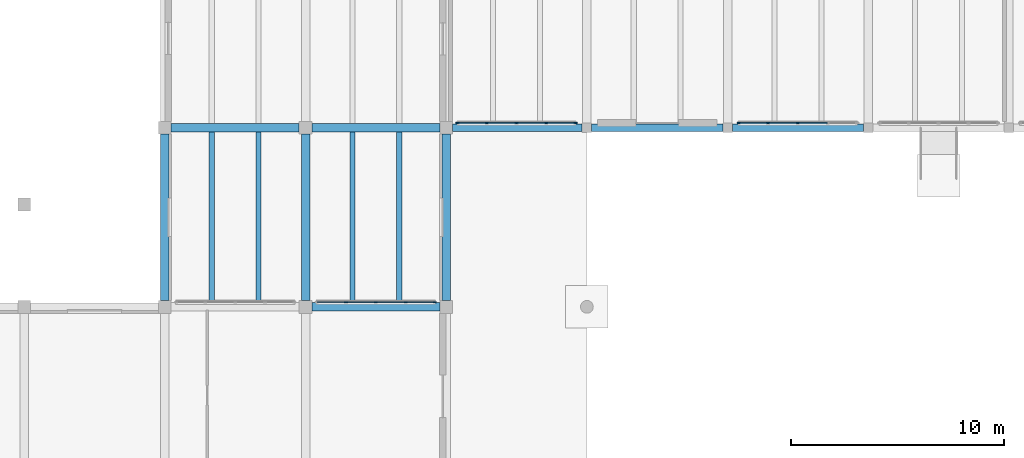
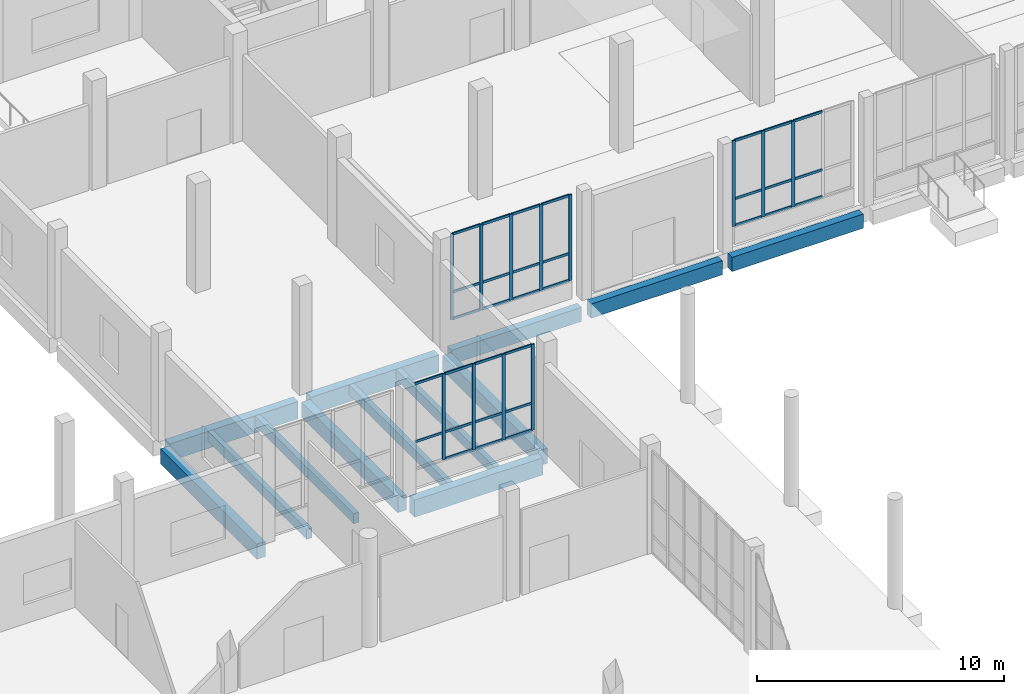
# One storey, part 9 of 64: 44 members, 13 beams, 3 elements without a shape of their own.
"""IFC4 building model written with IfcOpenShell, lengths in metres."""

from ifc_helpers import new_model, si_unit, direction, frame, origin, origin_2d, place, context, subcontext, project, spatial, rectangle, extrude, material, material_profile, profile_set, type_object, element, aggregate, save


model = new_model("IFC4")

# Units and contexts
model_context = context("Model", 3, precision=1e-05, world=origin(), true_north=direction((0.0, 1.0)))
body_context = subcontext(model_context, "Body", "Model", "MODEL_VIEW")
ifc_project = project(units=[si_unit("LENGTHUNIT", "METRE"), si_unit("AREAUNIT", "SQUARE_METRE"), si_unit("VOLUMEUNIT", "CUBIC_METRE"), si_unit("PLANEANGLEUNIT", "RADIAN"), si_unit("MASSUNIT", "GRAM", prefix="KILO")], contexts=[model_context])

# Site, building, storey
site_placement = place(None, origin())
site = spatial("IfcSite", under=ifc_project, at=site_placement, CompositionType="ELEMENT")
building_placement = place(site_placement, origin())
building = spatial("IfcBuilding", under=site, at=building_placement, Name="Qaldarim Faculty of Natural and Applied Sciences", CompositionType="ELEMENT")
storey_placement = place(building_placement, origin())
storey = spatial("IfcBuildingStorey", under=building, at=storey_placement, Name="L00", CompositionType="ELEMENT", Elevation=0.0)

# Beams
ifc_material_1 = material(Name="Concrete C40/50", Category="concrete")
ifc_material_profile_1 = material_profile(ifc_material_1, rectangle(XDim=0.239990234375, YDim=0.5, at=origin_2d()), Name="RC-J240x500")
ifc_profile_set_1 = profile_set([ifc_material_profile_1], Name="Concrete C40/50")
beam_type_1 = type_object("IfcBeamType", Name="HeavyJoist-RC240x500", PredefinedType="JOIST", material=ifc_profile_set_1)
for number, where, z_axis, x_axis, name in (
    (1, (35.199951171875, 84.199951171875, -0.610107421875), (0.0, 1.0, 0.0), (-1.0, 0.0, 0.0), "Laboratory joist B01 bay X06Y11-1"),
    (2, (37.39990234375, 84.199951171875, -0.610107421875), (0.0, 1.0, 0.0), (-1.0, 0.0, 0.0), "Laboratory joist B01 bay X06Y11-2"),
    (3, (41.800048828125, 84.199951171875, -0.610107421875), (0.0, 1.0, 0.0), (-1.0, 0.0, 0.0), "Laboratory joist B01 bay X07Y11-1"),
    (4, (44.0, 84.199951171875, -0.610107421875), (0.0, 1.0, 0.0), (-1.0, 0.0, 0.0), "Laboratory joist B01 bay X07Y11-2"),
):
    element("IfcBeam", number, at=place(storey_placement, frame(where, z_axis=z_axis, x_axis=x_axis)), inside=storey, type_object=beam_type_1, Name=name, PredefinedType="JOIST", context=body_context, shape_type="SweptSolid", body=[
        extrude(rectangle(XDim=0.239990234375, YDim=0.5, at=origin_2d()), origin(), (0.0, 0.0, 1.0), 8.0),
    ])
ifc_material_2 = material(Name="Concrete C50/60", Category="concrete")
ifc_material_profile_2 = material_profile(ifc_material_2, rectangle(XDim=0.39990234375, YDim=0.75, at=origin_2d()), Name="RC-B400x750")
ifc_profile_set_2 = profile_set([ifc_material_profile_2], Name="Concrete C50/60")
beam_type_2 = type_object("IfcBeamType", Name="LabGirder-RC400x750", PredefinedType="BEAM", material=ifc_profile_set_2)
for number, where, z_axis, x_axis, name in (
    (5, (33.0, 84.300048828125, -0.735107421875), (0.0, 1.0, 0.0), (-1.0, 0.0, 0.0), "Beam RC-B400x750 B01 X06/Y11-Y12"),
    (6, (39.60009765625, 84.300048828125, -0.735107421875), (0.0, 1.0, 0.0), (-1.0, 0.0, 0.0), "Beam RC-B400x750 B01 X07/Y11-Y12"),
    (7, (46.199951171875, 84.300048828125, -0.735107421875), (0.0, 1.0, 0.0), (-1.0, 0.0, 0.0), "Beam RC-B400x750 B01 X08/Y11-Y12"),
):
    element("IfcBeam", number, at=place(storey_placement, frame(where, z_axis=z_axis, x_axis=x_axis)), inside=storey, type_object=beam_type_2, Name=name, PredefinedType="BEAM", context=body_context, shape_type="SweptSolid", body=[
        extrude(rectangle(XDim=0.39990234375, YDim=0.75, at=origin_2d()), origin(), (0.0, 0.0, 1.0), 7.800048828125),
    ])

# Curtain wall, members
ifc_material_3 = material(Name="Anodised aluminium AW-6063", Category="aluminium")
curtain_wall_type = type_object("IfcCurtainWallType", Name="CurtainWallSystem-M1400", PredefinedType="USERDEFINED", material=ifc_material_3)
curtain_wall_1_placement = place(storey_placement, origin())
curtain_wall_1 = element("IfcCurtainWall", 8, at=curtain_wall_1_placement, inside=storey, type_object=curtain_wall_type, Name="Curtain wall CW-V4RIB-L00-X07", ObjectType="STICK CURTAIN WALL", PredefinedType="USERDEFINED")
ifc_material_profile_3 = material_profile(ifc_material_3, rectangle(XDim=0.06005859375, YDim=0.14990234375, at=origin_2d()), Name="ALU-M60x150")
ifc_profile_set_3 = profile_set([ifc_material_profile_3], Name="Anodised aluminium AW-6063")
member_type_1 = type_object("IfcMemberType", Name="Mullion-ALU60x150", PredefinedType="MULLION", material=ifc_profile_set_3)
member_1_placement = place(storey_placement, frame((41.5, 84.219970703125, 0.85009765625), z_axis=(0.0, 0.0, 1.0), x_axis=(0.0, 1.0, 0.0)))
member_1 = element("IfcMember", 9, at=member_1_placement, type_object=member_type_1, Name="Mullion 2 of CW-V4RIB-L00-X07", PredefinedType="MULLION", context=body_context, shape_type="SweptSolid", body=[
    extrude(rectangle(XDim=0.06005859375, YDim=0.14990234375, at=origin_2d()), origin(), (0.0, 0.0, 1.0), 4.25),
])
member_2_placement = place(storey_placement, frame((42.89990234375, 84.219970703125, 0.85009765625), z_axis=(0.0, 0.0, 1.0), x_axis=(0.0, 1.0, 0.0)))
member_2 = element("IfcMember", 10, at=member_2_placement, type_object=member_type_1, Name="Mullion 3 of CW-V4RIB-L00-X07", PredefinedType="MULLION", context=body_context, shape_type="SweptSolid", body=[
    extrude(rectangle(XDim=0.06005859375, YDim=0.14990234375, at=origin_2d()), origin(), (0.0, 0.0, 1.0), 4.25),
])
member_3_placement = place(storey_placement, frame((44.300048828125, 84.219970703125, 0.85009765625), z_axis=(0.0, 0.0, 1.0), x_axis=(0.0, 1.0, 0.0)))
member_3 = element("IfcMember", 11, at=member_3_placement, type_object=member_type_1, Name="Mullion 4 of CW-V4RIB-L00-X07", PredefinedType="MULLION", context=body_context, shape_type="SweptSolid", body=[
    extrude(rectangle(XDim=0.06005859375, YDim=0.14990234375, at=origin_2d()), origin(), (0.0, 0.0, 1.0), 4.25),
])
member_4_placement = place(storey_placement, frame((45.669921875, 84.219970703125, 0.85009765625), z_axis=(0.0, 0.0, 1.0), x_axis=(0.0, 1.0, 0.0)))
member_4 = element("IfcMember", 12, at=member_4_placement, type_object=member_type_1, Name="Mullion 5 of CW-V4RIB-L00-X07", PredefinedType="MULLION", context=body_context, shape_type="SweptSolid", body=[
    extrude(rectangle(XDim=0.06005859375, YDim=0.14990234375, at=origin_2d()), origin(), (0.0, 0.0, 1.0), 4.25),
])

curtain_wall_2_placement = place(storey_placement, origin())
curtain_wall_2 = element("IfcCurtainWall", 13, at=curtain_wall_2_placement, inside=storey, type_object=curtain_wall_type, Name="Curtain wall CW-V4RIB-L00-X08", ObjectType="STICK CURTAIN WALL", PredefinedType="USERDEFINED")
member_5_placement = place(storey_placement, frame((46.72998046875, 92.6201171875, 0.85009765625), z_axis=(0.0, 0.0, 1.0), x_axis=(0.0, 1.0, 0.0)))
member_5 = element("IfcMember", 14, at=member_5_placement, type_object=member_type_1, Name="Mullion 1 of CW-V4RIB-L00-X08", PredefinedType="MULLION", context=body_context, shape_type="SweptSolid", body=[
    extrude(rectangle(XDim=0.06005859375, YDim=0.14990234375, at=origin_2d()), origin(), (0.0, 0.0, 1.0), 4.25),
])
member_6_placement = place(storey_placement, frame((48.10009765625, 92.6201171875, 0.85009765625), z_axis=(0.0, 0.0, 1.0), x_axis=(0.0, 1.0, 0.0)))
member_6 = element("IfcMember", 15, at=member_6_placement, type_object=member_type_1, Name="Mullion 2 of CW-V4RIB-L00-X08", PredefinedType="MULLION", context=body_context, shape_type="SweptSolid", body=[
    extrude(rectangle(XDim=0.06005859375, YDim=0.14990234375, at=origin_2d()), origin(), (0.0, 0.0, 1.0), 4.25),
])
member_7_placement = place(storey_placement, frame((49.5, 92.6201171875, 0.85009765625), z_axis=(0.0, 0.0, 1.0), x_axis=(0.0, 1.0, 0.0)))
member_7 = element("IfcMember", 16, at=member_7_placement, type_object=member_type_1, Name="Mullion 3 of CW-V4RIB-L00-X08", PredefinedType="MULLION", context=body_context, shape_type="SweptSolid", body=[
    extrude(rectangle(XDim=0.06005859375, YDim=0.14990234375, at=origin_2d()), origin(), (0.0, 0.0, 1.0), 4.25),
])
member_8_placement = place(storey_placement, frame((50.89990234375, 92.6201171875, 0.85009765625), z_axis=(0.0, 0.0, 1.0), x_axis=(0.0, 1.0, 0.0)))
member_8 = element("IfcMember", 17, at=member_8_placement, type_object=member_type_1, Name="Mullion 4 of CW-V4RIB-L00-X08", PredefinedType="MULLION", context=body_context, shape_type="SweptSolid", body=[
    extrude(rectangle(XDim=0.06005859375, YDim=0.14990234375, at=origin_2d()), origin(), (0.0, 0.0, 1.0), 4.25),
])
member_9_placement = place(storey_placement, frame((52.27001953125, 92.6201171875, 0.85009765625), z_axis=(0.0, 0.0, 1.0), x_axis=(0.0, 1.0, 0.0)))
member_9 = element("IfcMember", 18, at=member_9_placement, type_object=member_type_1, Name="Mullion 5 of CW-V4RIB-L00-X08", PredefinedType="MULLION", context=body_context, shape_type="SweptSolid", body=[
    extrude(rectangle(XDim=0.06005859375, YDim=0.14990234375, at=origin_2d()), origin(), (0.0, 0.0, 1.0), 4.25),
])

curtain_wall_3_placement = place(storey_placement, origin())
curtain_wall_3 = element("IfcCurtainWall", 19, at=curtain_wall_3_placement, inside=storey, type_object=curtain_wall_type, Name="Curtain wall CW-V4RIB-L00-X10", ObjectType="STICK CURTAIN WALL", PredefinedType="USERDEFINED")
member_10_placement = place(storey_placement, frame((59.929931640625, 92.6201171875, 0.85009765625), z_axis=(0.0, 0.0, 1.0), x_axis=(0.0, 1.0, 0.0)))
member_10 = element("IfcMember", 20, at=member_10_placement, type_object=member_type_1, Name="Mullion 1 of CW-V4RIB-L00-X10", PredefinedType="MULLION", context=body_context, shape_type="SweptSolid", body=[
    extrude(rectangle(XDim=0.06005859375, YDim=0.14990234375, at=origin_2d()), origin(), (0.0, 0.0, 1.0), 4.25),
])
member_11_placement = place(storey_placement, frame((61.300048828125, 92.6201171875, 0.85009765625), z_axis=(0.0, 0.0, 1.0), x_axis=(0.0, 1.0, 0.0)))
member_11 = element("IfcMember", 21, at=member_11_placement, type_object=member_type_1, Name="Mullion 2 of CW-V4RIB-L00-X10", PredefinedType="MULLION", context=body_context, shape_type="SweptSolid", body=[
    extrude(rectangle(XDim=0.06005859375, YDim=0.14990234375, at=origin_2d()), origin(), (0.0, 0.0, 1.0), 4.25),
])
member_12_placement = place(storey_placement, frame((62.699951171875, 92.6201171875, 0.85009765625), z_axis=(0.0, 0.0, 1.0), x_axis=(0.0, 1.0, 0.0)))
member_12 = element("IfcMember", 22, at=member_12_placement, type_object=member_type_1, Name="Mullion 3 of CW-V4RIB-L00-X10", PredefinedType="MULLION", context=body_context, shape_type="SweptSolid", body=[
    extrude(rectangle(XDim=0.06005859375, YDim=0.14990234375, at=origin_2d()), origin(), (0.0, 0.0, 1.0), 4.25),
])

# Beams
ifc_material_profile_4 = material_profile(ifc_material_2, rectangle(XDim=0.39990234375, YDim=0.85009765625, at=origin_2d()), Name="RC-B400x850")
ifc_profile_set_4 = profile_set([ifc_material_profile_4], Name="Concrete C50/60")
beam_type_3 = type_object("IfcBeamType", Name="PodiumGirder-RC400x850", PredefinedType="BEAM", material=ifc_profile_set_4)
for number, where, z_axis, x_axis, name in (
    (23, (39.89990234375, 84.0, -0.784912109375), (1.0, 0.0, 0.0), (0.0, 1.0, 0.0), "Beam RC-B400x850 B01 X07-X08/Y11"),
    (24, (33.300048828125, 92.39990234375, -0.784912109375), (1.0, 0.0, 0.0), (0.0, 1.0, 0.0), "Beam RC-B400x850 B01 X06-X07/Y12"),
    (25, (39.89990234375, 92.39990234375, -0.784912109375), (1.0, 0.0, 0.0), (0.0, 1.0, 0.0), "Beam RC-B400x850 B01 X07-X08/Y12"),
):
    element("IfcBeam", number, at=place(storey_placement, frame(where, z_axis=z_axis, x_axis=x_axis)), inside=storey, type_object=beam_type_3, Name=name, PredefinedType="BEAM", context=body_context, shape_type="SweptSolid", body=[
        extrude(rectangle(XDim=0.39990234375, YDim=0.85009765625, at=origin_2d()), origin(), (0.0, 0.0, 1.0), 6.0),
    ])
ifc_material_profile_5 = material_profile(ifc_material_1, rectangle(XDim=0.35009765625, YDim=0.699951171875, at=origin_2d()), Name="RC-B350x700")
ifc_profile_set_5 = profile_set([ifc_material_profile_5], Name="Concrete C40/50")
beam_type_4 = type_object("IfcBeamType", Name="PrimaryGirder-RC350x700", PredefinedType="BEAM", material=ifc_profile_set_5)
beam_1_placement = place(storey_placement, frame((46.5, 92.39990234375, -0.7099609375), z_axis=(1.0, 0.0, 0.0), x_axis=(0.0, 1.0, 0.0)))
element("IfcBeam", 26, at=beam_1_placement, inside=storey, type_object=beam_type_4, Name="Beam RC-B350x700 B01 X08-X09/Y12", PredefinedType="BEAM", context=body_context, shape_type="SweptSolid", body=[
    extrude(rectangle(XDim=0.35009765625, YDim=0.699951171875, at=origin_2d()), origin(), (0.0, 0.0, 1.0), 6.074951171875),
])
beam_2_placement = place(storey_placement, frame((53.02490234375, 92.39990234375, -0.7099609375), z_axis=(1.0, 0.0, 0.0), x_axis=(0.0, 1.0, 0.0)))
element("IfcBeam", 27, at=beam_2_placement, inside=storey, type_object=beam_type_4, Name="Beam RC-B350x700 B01 X09-X10/Y12", PredefinedType="BEAM", context=body_context, shape_type="SweptSolid", body=[
    extrude(rectangle(XDim=0.35009765625, YDim=0.699951171875, at=origin_2d()), origin(), (0.0, 0.0, 1.0), 6.150146484375),
])
beam_3_placement = place(storey_placement, frame((59.625, 92.39990234375, -0.7099609375), z_axis=(1.0, 0.0, 0.0), x_axis=(0.0, 1.0, 0.0)))
element("IfcBeam", 28, at=beam_3_placement, inside=storey, type_object=beam_type_4, Name="Beam RC-B350x700 B01 X10-X11/Y12", PredefinedType="BEAM", context=body_context, shape_type="SweptSolid", body=[
    extrude(rectangle(XDim=0.35009765625, YDim=0.699951171875, at=origin_2d()), origin(), (0.0, 0.0, 1.0), 6.14990234375),
])

# Member
ifc_material_profile_6 = material_profile(ifc_material_3, rectangle(XDim=0.06005859375, YDim=0.1201171875, at=origin_2d()), Name="ALU-T60x120")
ifc_profile_set_6 = profile_set([ifc_material_profile_6], Name="Anodised aluminium AW-6063")
member_type_2 = type_object("IfcMemberType", Name="Transom-ALU60x120", PredefinedType="USERDEFINED", material=ifc_profile_set_6)
member_13_placement = place(storey_placement, frame((40.159912109375, 84.219970703125, 2.199951171875), z_axis=(1.0, 0.0, 0.0), x_axis=(0.0, 1.0, 0.0)))
member_13 = element("IfcMember", 29, at=member_13_placement, type_object=member_type_2, Name="Transom 1-2 of CW-V4RIB-L00-X07", ObjectType="TRANSOM", PredefinedType="USERDEFINED", context=body_context, shape_type="SweptSolid", body=[
    extrude(rectangle(XDim=0.06005859375, YDim=0.1201171875, at=origin_2d()), origin(), (0.0, 0.0, 1.0), 1.31005859375),
])

member_14_placement = place(storey_placement, frame((40.159912109375, 84.219970703125, 5.070068359375), z_axis=(1.0, 0.0, 0.0), x_axis=(0.0, 1.0, 0.0)))
member_14 = element("IfcMember", 30, at=member_14_placement, type_object=member_type_2, Name="Transom 1-3 of CW-V4RIB-L00-X07", ObjectType="TRANSOM", PredefinedType="USERDEFINED", context=body_context, shape_type="SweptSolid", body=[
    extrude(rectangle(XDim=0.06005859375, YDim=0.1201171875, at=origin_2d()), origin(), (0.0, 0.0, 1.0), 1.31005859375),
])

member_15_placement = place(storey_placement, frame((41.530029296875, 84.219970703125, 0.8798828125), z_axis=(1.0, 0.0, 0.0), x_axis=(0.0, 1.0, 0.0)))
member_15 = element("IfcMember", 31, at=member_15_placement, type_object=member_type_2, Name="Transom 2-1 of CW-V4RIB-L00-X07", ObjectType="TRANSOM", PredefinedType="USERDEFINED", context=body_context, shape_type="SweptSolid", body=[
    extrude(rectangle(XDim=0.06005859375, YDim=0.1201171875, at=origin_2d()), origin(), (0.0, 0.0, 1.0), 1.340087890625),
])

member_16_placement = place(storey_placement, frame((41.530029296875, 84.219970703125, 2.199951171875), z_axis=(1.0, 0.0, 0.0), x_axis=(0.0, 1.0, 0.0)))
member_16 = element("IfcMember", 32, at=member_16_placement, type_object=member_type_2, Name="Transom 2-2 of CW-V4RIB-L00-X07", ObjectType="TRANSOM", PredefinedType="USERDEFINED", context=body_context, shape_type="SweptSolid", body=[
    extrude(rectangle(XDim=0.06005859375, YDim=0.1201171875, at=origin_2d()), origin(), (0.0, 0.0, 1.0), 1.340087890625),
])

member_17_placement = place(storey_placement, frame((41.530029296875, 84.219970703125, 5.070068359375), z_axis=(1.0, 0.0, 0.0), x_axis=(0.0, 1.0, 0.0)))
member_17 = element("IfcMember", 33, at=member_17_placement, type_object=member_type_2, Name="Transom 2-3 of CW-V4RIB-L00-X07", ObjectType="TRANSOM", PredefinedType="USERDEFINED", context=body_context, shape_type="SweptSolid", body=[
    extrude(rectangle(XDim=0.06005859375, YDim=0.1201171875, at=origin_2d()), origin(), (0.0, 0.0, 1.0), 1.340087890625),
])

member_18_placement = place(storey_placement, frame((42.929931640625, 84.219970703125, 0.8798828125), z_axis=(1.0, 0.0, 0.0), x_axis=(0.0, 1.0, 0.0)))
member_18 = element("IfcMember", 34, at=member_18_placement, type_object=member_type_2, Name="Transom 3-1 of CW-V4RIB-L00-X07", ObjectType="TRANSOM", PredefinedType="USERDEFINED", context=body_context, shape_type="SweptSolid", body=[
    extrude(rectangle(XDim=0.06005859375, YDim=0.1201171875, at=origin_2d()), origin(), (0.0, 0.0, 1.0), 1.340087890625),
])

member_19_placement = place(storey_placement, frame((42.929931640625, 84.219970703125, 2.199951171875), z_axis=(1.0, 0.0, 0.0), x_axis=(0.0, 1.0, 0.0)))
member_19 = element("IfcMember", 35, at=member_19_placement, type_object=member_type_2, Name="Transom 3-2 of CW-V4RIB-L00-X07", ObjectType="TRANSOM", PredefinedType="USERDEFINED", context=body_context, shape_type="SweptSolid", body=[
    extrude(rectangle(XDim=0.06005859375, YDim=0.1201171875, at=origin_2d()), origin(), (0.0, 0.0, 1.0), 1.340087890625),
])

member_20_placement = place(storey_placement, frame((42.929931640625, 84.219970703125, 5.070068359375), z_axis=(1.0, 0.0, 0.0), x_axis=(0.0, 1.0, 0.0)))
member_20 = element("IfcMember", 36, at=member_20_placement, type_object=member_type_2, Name="Transom 3-3 of CW-V4RIB-L00-X07", ObjectType="TRANSOM", PredefinedType="USERDEFINED", context=body_context, shape_type="SweptSolid", body=[
    extrude(rectangle(XDim=0.06005859375, YDim=0.1201171875, at=origin_2d()), origin(), (0.0, 0.0, 1.0), 1.340087890625),
])

member_21_placement = place(storey_placement, frame((44.330078125, 84.219970703125, 0.8798828125), z_axis=(1.0, 0.0, 0.0), x_axis=(0.0, 1.0, 0.0)))
member_21 = element("IfcMember", 37, at=member_21_placement, type_object=member_type_2, Name="Transom 4-1 of CW-V4RIB-L00-X07", ObjectType="TRANSOM", PredefinedType="USERDEFINED", context=body_context, shape_type="SweptSolid", body=[
    extrude(rectangle(XDim=0.06005859375, YDim=0.1201171875, at=origin_2d()), origin(), (0.0, 0.0, 1.0), 1.309814453125),
])

member_22_placement = place(storey_placement, frame((44.330078125, 84.219970703125, 2.199951171875), z_axis=(1.0, 0.0, 0.0), x_axis=(0.0, 1.0, 0.0)))
member_22 = element("IfcMember", 38, at=member_22_placement, type_object=member_type_2, Name="Transom 4-2 of CW-V4RIB-L00-X07", ObjectType="TRANSOM", PredefinedType="USERDEFINED", context=body_context, shape_type="SweptSolid", body=[
    extrude(rectangle(XDim=0.06005859375, YDim=0.1201171875, at=origin_2d()), origin(), (0.0, 0.0, 1.0), 1.309814453125),
])

member_23_placement = place(storey_placement, frame((44.330078125, 84.219970703125, 5.070068359375), z_axis=(1.0, 0.0, 0.0), x_axis=(0.0, 1.0, 0.0)))
member_23 = element("IfcMember", 39, at=member_23_placement, type_object=member_type_2, Name="Transom 4-3 of CW-V4RIB-L00-X07", ObjectType="TRANSOM", PredefinedType="USERDEFINED", context=body_context, shape_type="SweptSolid", body=[
    extrude(rectangle(XDim=0.06005859375, YDim=0.1201171875, at=origin_2d()), origin(), (0.0, 0.0, 1.0), 1.309814453125),
])

aggregate(curtain_wall_1, [member_1, member_2, member_3, member_4, member_13, member_14, member_15, member_16, member_17, member_18, member_19, member_20, member_21, member_22, member_23])

member_24_placement = place(storey_placement, frame((46.760009765625, 92.6201171875, 0.8798828125), z_axis=(1.0, 0.0, 0.0), x_axis=(0.0, 1.0, 0.0)))
member_24 = element("IfcMember", 40, at=member_24_placement, type_object=member_type_2, Name="Transom 1-1 of CW-V4RIB-L00-X08", ObjectType="TRANSOM", PredefinedType="USERDEFINED", context=body_context, shape_type="SweptSolid", body=[
    extrude(rectangle(XDim=0.06005859375, YDim=0.1201171875, at=origin_2d()), origin(), (0.0, 0.0, 1.0), 1.31005859375),
])

member_25_placement = place(storey_placement, frame((46.760009765625, 92.6201171875, 2.199951171875), z_axis=(1.0, 0.0, 0.0), x_axis=(0.0, 1.0, 0.0)))
member_25 = element("IfcMember", 41, at=member_25_placement, type_object=member_type_2, Name="Transom 1-2 of CW-V4RIB-L00-X08", ObjectType="TRANSOM", PredefinedType="USERDEFINED", context=body_context, shape_type="SweptSolid", body=[
    extrude(rectangle(XDim=0.06005859375, YDim=0.1201171875, at=origin_2d()), origin(), (0.0, 0.0, 1.0), 1.31005859375),
])

member_26_placement = place(storey_placement, frame((46.760009765625, 92.6201171875, 5.070068359375), z_axis=(1.0, 0.0, 0.0), x_axis=(0.0, 1.0, 0.0)))
member_26 = element("IfcMember", 42, at=member_26_placement, type_object=member_type_2, Name="Transom 1-3 of CW-V4RIB-L00-X08", ObjectType="TRANSOM", PredefinedType="USERDEFINED", context=body_context, shape_type="SweptSolid", body=[
    extrude(rectangle(XDim=0.06005859375, YDim=0.1201171875, at=origin_2d()), origin(), (0.0, 0.0, 1.0), 1.31005859375),
])

member_27_placement = place(storey_placement, frame((48.1298828125, 92.6201171875, 0.8798828125), z_axis=(1.0, 0.0, 0.0), x_axis=(0.0, 1.0, 0.0)))
member_27 = element("IfcMember", 43, at=member_27_placement, type_object=member_type_2, Name="Transom 2-1 of CW-V4RIB-L00-X08", ObjectType="TRANSOM", PredefinedType="USERDEFINED", context=body_context, shape_type="SweptSolid", body=[
    extrude(rectangle(XDim=0.06005859375, YDim=0.1201171875, at=origin_2d()), origin(), (0.0, 0.0, 1.0), 1.340087890625),
])

member_28_placement = place(storey_placement, frame((48.1298828125, 92.6201171875, 2.199951171875), z_axis=(1.0, 0.0, 0.0), x_axis=(0.0, 1.0, 0.0)))
member_28 = element("IfcMember", 44, at=member_28_placement, type_object=member_type_2, Name="Transom 2-2 of CW-V4RIB-L00-X08", ObjectType="TRANSOM", PredefinedType="USERDEFINED", context=body_context, shape_type="SweptSolid", body=[
    extrude(rectangle(XDim=0.06005859375, YDim=0.1201171875, at=origin_2d()), origin(), (0.0, 0.0, 1.0), 1.340087890625),
])

member_29_placement = place(storey_placement, frame((48.1298828125, 92.6201171875, 5.070068359375), z_axis=(1.0, 0.0, 0.0), x_axis=(0.0, 1.0, 0.0)))
member_29 = element("IfcMember", 45, at=member_29_placement, type_object=member_type_2, Name="Transom 2-3 of CW-V4RIB-L00-X08", ObjectType="TRANSOM", PredefinedType="USERDEFINED", context=body_context, shape_type="SweptSolid", body=[
    extrude(rectangle(XDim=0.06005859375, YDim=0.1201171875, at=origin_2d()), origin(), (0.0, 0.0, 1.0), 1.340087890625),
])

member_30_placement = place(storey_placement, frame((49.530029296875, 92.6201171875, 0.8798828125), z_axis=(1.0, 0.0, 0.0), x_axis=(0.0, 1.0, 0.0)))
member_30 = element("IfcMember", 46, at=member_30_placement, type_object=member_type_2, Name="Transom 3-1 of CW-V4RIB-L00-X08", ObjectType="TRANSOM", PredefinedType="USERDEFINED", context=body_context, shape_type="SweptSolid", body=[
    extrude(rectangle(XDim=0.06005859375, YDim=0.1201171875, at=origin_2d()), origin(), (0.0, 0.0, 1.0), 1.340087890625),
])

member_31_placement = place(storey_placement, frame((49.530029296875, 92.6201171875, 2.199951171875), z_axis=(1.0, 0.0, 0.0), x_axis=(0.0, 1.0, 0.0)))
member_31 = element("IfcMember", 47, at=member_31_placement, type_object=member_type_2, Name="Transom 3-2 of CW-V4RIB-L00-X08", ObjectType="TRANSOM", PredefinedType="USERDEFINED", context=body_context, shape_type="SweptSolid", body=[
    extrude(rectangle(XDim=0.06005859375, YDim=0.1201171875, at=origin_2d()), origin(), (0.0, 0.0, 1.0), 1.340087890625),
])

member_32_placement = place(storey_placement, frame((49.530029296875, 92.6201171875, 5.070068359375), z_axis=(1.0, 0.0, 0.0), x_axis=(0.0, 1.0, 0.0)))
member_32 = element("IfcMember", 48, at=member_32_placement, type_object=member_type_2, Name="Transom 3-3 of CW-V4RIB-L00-X08", ObjectType="TRANSOM", PredefinedType="USERDEFINED", context=body_context, shape_type="SweptSolid", body=[
    extrude(rectangle(XDim=0.06005859375, YDim=0.1201171875, at=origin_2d()), origin(), (0.0, 0.0, 1.0), 1.340087890625),
])

member_33_placement = place(storey_placement, frame((50.929931640625, 92.6201171875, 0.8798828125), z_axis=(1.0, 0.0, 0.0), x_axis=(0.0, 1.0, 0.0)))
member_33 = element("IfcMember", 49, at=member_33_placement, type_object=member_type_2, Name="Transom 4-1 of CW-V4RIB-L00-X08", ObjectType="TRANSOM", PredefinedType="USERDEFINED", context=body_context, shape_type="SweptSolid", body=[
    extrude(rectangle(XDim=0.06005859375, YDim=0.1201171875, at=origin_2d()), origin(), (0.0, 0.0, 1.0), 1.31005859375),
])

member_34_placement = place(storey_placement, frame((50.929931640625, 92.6201171875, 2.199951171875), z_axis=(1.0, 0.0, 0.0), x_axis=(0.0, 1.0, 0.0)))
member_34 = element("IfcMember", 50, at=member_34_placement, type_object=member_type_2, Name="Transom 4-2 of CW-V4RIB-L00-X08", ObjectType="TRANSOM", PredefinedType="USERDEFINED", context=body_context, shape_type="SweptSolid", body=[
    extrude(rectangle(XDim=0.06005859375, YDim=0.1201171875, at=origin_2d()), origin(), (0.0, 0.0, 1.0), 1.31005859375),
])

member_35_placement = place(storey_placement, frame((50.929931640625, 92.6201171875, 5.070068359375), z_axis=(1.0, 0.0, 0.0), x_axis=(0.0, 1.0, 0.0)))
member_35 = element("IfcMember", 51, at=member_35_placement, type_object=member_type_2, Name="Transom 4-3 of CW-V4RIB-L00-X08", ObjectType="TRANSOM", PredefinedType="USERDEFINED", context=body_context, shape_type="SweptSolid", body=[
    extrude(rectangle(XDim=0.06005859375, YDim=0.1201171875, at=origin_2d()), origin(), (0.0, 0.0, 1.0), 1.31005859375),
])

aggregate(curtain_wall_2, [member_5, member_6, member_7, member_8, member_9, member_24, member_25, member_26, member_27, member_28, member_29, member_30, member_31, member_32, member_33, member_34, member_35])

member_36_placement = place(storey_placement, frame((59.9599609375, 92.6201171875, 0.8798828125), z_axis=(1.0, 0.0, 0.0), x_axis=(0.0, 1.0, 0.0)))
member_36 = element("IfcMember", 52, at=member_36_placement, type_object=member_type_2, Name="Transom 1-1 of CW-V4RIB-L00-X10", ObjectType="TRANSOM", PredefinedType="USERDEFINED", context=body_context, shape_type="SweptSolid", body=[
    extrude(rectangle(XDim=0.06005859375, YDim=0.1201171875, at=origin_2d()), origin(), (0.0, 0.0, 1.0), 1.31005859375),
])

member_37_placement = place(storey_placement, frame((59.9599609375, 92.6201171875, 2.199951171875), z_axis=(1.0, 0.0, 0.0), x_axis=(0.0, 1.0, 0.0)))
member_37 = element("IfcMember", 53, at=member_37_placement, type_object=member_type_2, Name="Transom 1-2 of CW-V4RIB-L00-X10", ObjectType="TRANSOM", PredefinedType="USERDEFINED", context=body_context, shape_type="SweptSolid", body=[
    extrude(rectangle(XDim=0.06005859375, YDim=0.1201171875, at=origin_2d()), origin(), (0.0, 0.0, 1.0), 1.31005859375),
])

member_38_placement = place(storey_placement, frame((59.9599609375, 92.6201171875, 5.070068359375), z_axis=(1.0, 0.0, 0.0), x_axis=(0.0, 1.0, 0.0)))
member_38 = element("IfcMember", 54, at=member_38_placement, type_object=member_type_2, Name="Transom 1-3 of CW-V4RIB-L00-X10", ObjectType="TRANSOM", PredefinedType="USERDEFINED", context=body_context, shape_type="SweptSolid", body=[
    extrude(rectangle(XDim=0.06005859375, YDim=0.1201171875, at=origin_2d()), origin(), (0.0, 0.0, 1.0), 1.31005859375),
])

member_39_placement = place(storey_placement, frame((61.330078125, 92.6201171875, 0.8798828125), z_axis=(1.0, 0.0, 0.0), x_axis=(0.0, 1.0, 0.0)))
member_39 = element("IfcMember", 55, at=member_39_placement, type_object=member_type_2, Name="Transom 2-1 of CW-V4RIB-L00-X10", ObjectType="TRANSOM", PredefinedType="USERDEFINED", context=body_context, shape_type="SweptSolid", body=[
    extrude(rectangle(XDim=0.06005859375, YDim=0.1201171875, at=origin_2d()), origin(), (0.0, 0.0, 1.0), 1.33984375),
])

member_40_placement = place(storey_placement, frame((61.330078125, 92.6201171875, 2.199951171875), z_axis=(1.0, 0.0, 0.0), x_axis=(0.0, 1.0, 0.0)))
member_40 = element("IfcMember", 56, at=member_40_placement, type_object=member_type_2, Name="Transom 2-2 of CW-V4RIB-L00-X10", ObjectType="TRANSOM", PredefinedType="USERDEFINED", context=body_context, shape_type="SweptSolid", body=[
    extrude(rectangle(XDim=0.06005859375, YDim=0.1201171875, at=origin_2d()), origin(), (0.0, 0.0, 1.0), 1.33984375),
])

member_41_placement = place(storey_placement, frame((61.330078125, 92.6201171875, 5.070068359375), z_axis=(1.0, 0.0, 0.0), x_axis=(0.0, 1.0, 0.0)))
member_41 = element("IfcMember", 57, at=member_41_placement, type_object=member_type_2, Name="Transom 2-3 of CW-V4RIB-L00-X10", ObjectType="TRANSOM", PredefinedType="USERDEFINED", context=body_context, shape_type="SweptSolid", body=[
    extrude(rectangle(XDim=0.06005859375, YDim=0.1201171875, at=origin_2d()), origin(), (0.0, 0.0, 1.0), 1.33984375),
])

member_42_placement = place(storey_placement, frame((62.72998046875, 92.6201171875, 0.8798828125), z_axis=(1.0, 0.0, 0.0), x_axis=(0.0, 1.0, 0.0)))
member_42 = element("IfcMember", 58, at=member_42_placement, type_object=member_type_2, Name="Transom 3-1 of CW-V4RIB-L00-X10", ObjectType="TRANSOM", PredefinedType="USERDEFINED", context=body_context, shape_type="SweptSolid", body=[
    extrude(rectangle(XDim=0.06005859375, YDim=0.1201171875, at=origin_2d()), origin(), (0.0, 0.0, 1.0), 1.340087890625),
])

member_43_placement = place(storey_placement, frame((62.72998046875, 92.6201171875, 2.199951171875), z_axis=(1.0, 0.0, 0.0), x_axis=(0.0, 1.0, 0.0)))
member_43 = element("IfcMember", 59, at=member_43_placement, type_object=member_type_2, Name="Transom 3-2 of CW-V4RIB-L00-X10", ObjectType="TRANSOM", PredefinedType="USERDEFINED", context=body_context, shape_type="SweptSolid", body=[
    extrude(rectangle(XDim=0.06005859375, YDim=0.1201171875, at=origin_2d()), origin(), (0.0, 0.0, 1.0), 1.340087890625),
])

member_44_placement = place(storey_placement, frame((62.72998046875, 92.6201171875, 5.070068359375), z_axis=(1.0, 0.0, 0.0), x_axis=(0.0, 1.0, 0.0)))
member_44 = element("IfcMember", 60, at=member_44_placement, type_object=member_type_2, Name="Transom 3-3 of CW-V4RIB-L00-X10", ObjectType="TRANSOM", PredefinedType="USERDEFINED", context=body_context, shape_type="SweptSolid", body=[
    extrude(rectangle(XDim=0.06005859375, YDim=0.1201171875, at=origin_2d()), origin(), (0.0, 0.0, 1.0), 1.340087890625),
])

aggregate(curtain_wall_3, [member_10, member_11, member_12, member_36, member_37, member_38, member_39, member_40, member_41, member_42, member_43, member_44])

save(model, "model.ifc")
